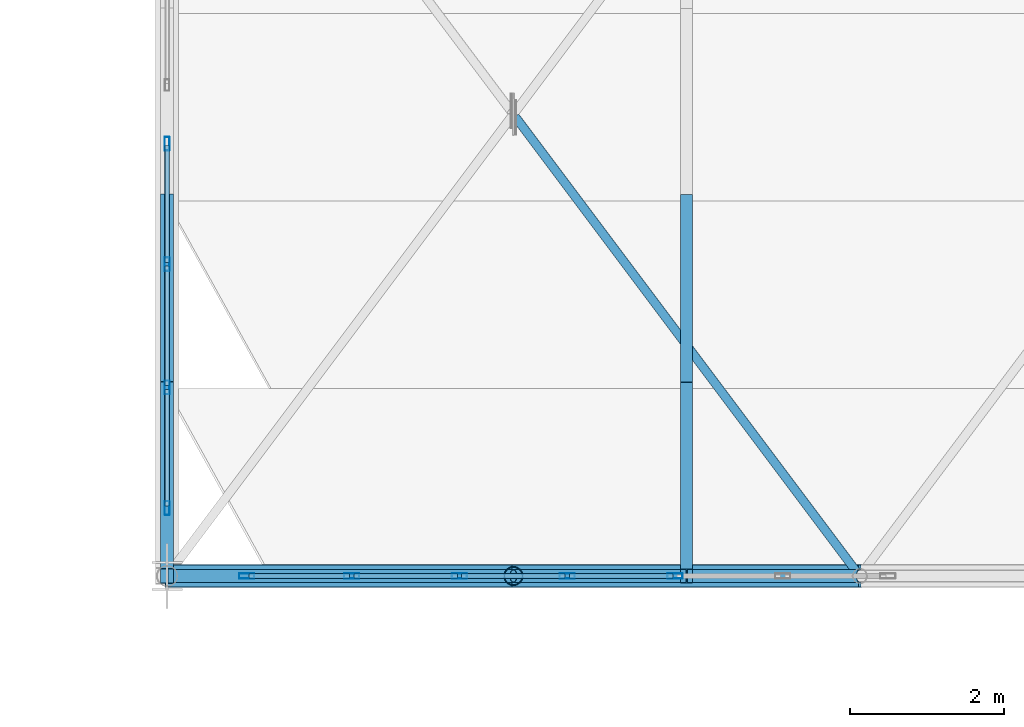
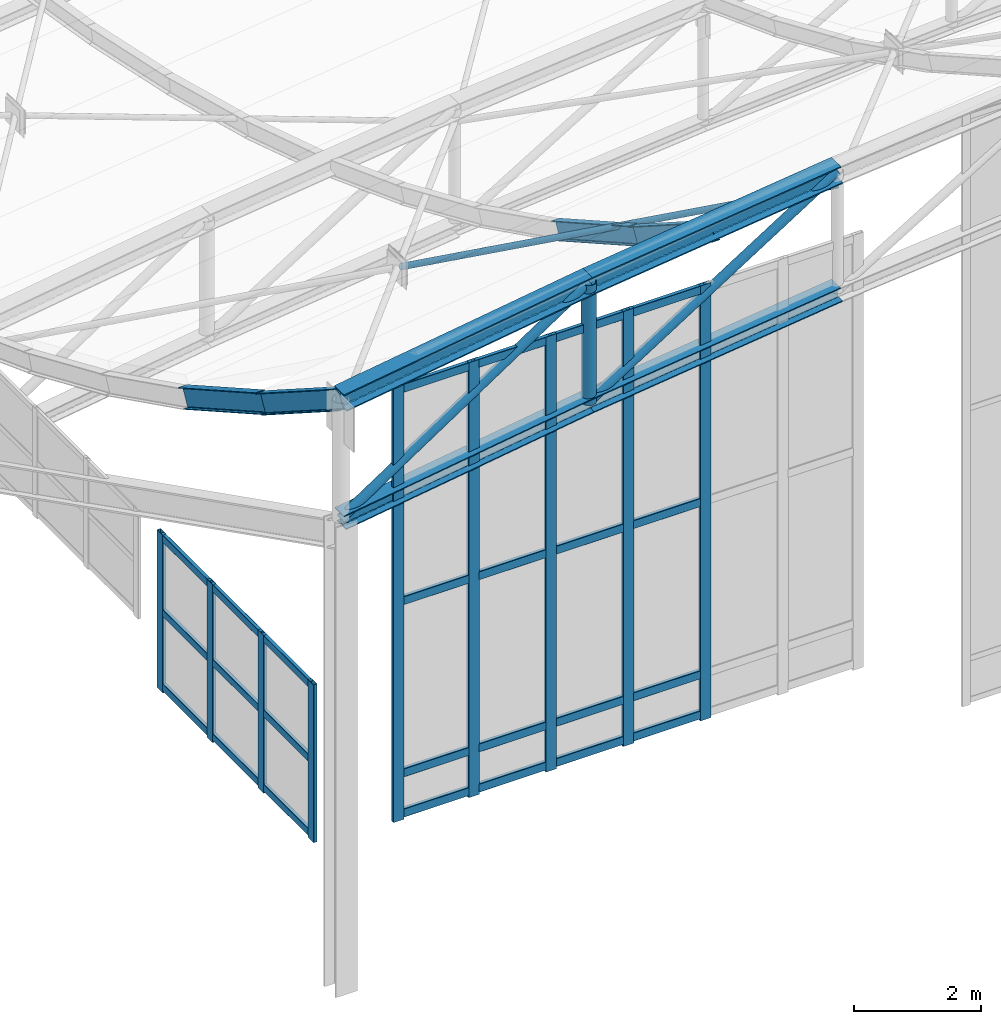
# One storey, part 41 of 262: 46 members, 2 elements without a shape of their own.
"""IFC4 building model written with IfcOpenShell, lengths in metres."""

from ifc_helpers import new_model, si_unit, derived_unit, direction, frame, origin, origin_2d, place, context, subcontext, project, spatial, hollow_rectangle, hollow_circle, i_section, extrude, material, layer, layer_set, material_profile, profile_set, type_object, element, aggregate, save


model = new_model("IFC4")

# Units and contexts
model_context = context("Model", 3, precision=1e-05, world=origin(), true_north=direction((0.0, 1.0)))
body_context = subcontext(model_context, "Body", "Model", "MODEL_VIEW")
ifc_project = project(units=[si_unit("LENGTHUNIT", "METRE"), si_unit("AREAUNIT", "SQUARE_METRE"), si_unit("VOLUMEUNIT", "CUBIC_METRE"), si_unit("PLANEANGLEUNIT", "RADIAN"), si_unit("MASSUNIT", "GRAM", prefix="KILO"), derived_unit("THERMALTRANSMITTANCEUNIT", [(si_unit("POWERUNIT", "WATT"), 1), (si_unit("LENGTHUNIT", "METRE"), -2), (si_unit("THERMODYNAMICTEMPERATUREUNIT", "KELVIN"), -1)])], contexts=[model_context])

# Site, building, storey
site_placement = place(None, origin())
site = spatial("IfcSite", under=ifc_project, at=site_placement, CompositionType="ELEMENT")
building_placement = place(site_placement, origin())
building = spatial("IfcBuilding", under=site, at=building_placement, Name="Almenara Railside Exhibition Hall", CompositionType="ELEMENT")
storey_placement = place(building_placement, frame((0.0, 0.0, 21.699951171875)))
storey = spatial("IfcBuildingStorey", under=building, at=storey_placement, Name="RF", CompositionType="ELEMENT", Elevation=21.699951171875)

# Members
ifc_material_1 = material(Name="Structural steel S355JR", Category="steel")
ifc_material_profile_1 = material_profile(ifc_material_1, i_section(OverallWidth=0.280029296875, OverallDepth=0.280029296875, WebThickness=0.010498046875, FlangeThickness=0.01806640625, FilletRadius=0.02392578125, at=origin_2d()), Name="HEB 280")
ifc_profile_set_1 = profile_set([ifc_material_profile_1], Name="Structural steel S355JR")
member_type_1 = type_object("IfcMemberType", Name="Arched Gable Bottom Chord HEB 280 S355JR", PredefinedType="CHORD", material=ifc_profile_set_1)
member_1_placement = place(storey_placement, frame((12.0, 48.0, 6.60009765625), z_axis=(0.9890290442, 0.0, 0.147721189165), x_axis=(0.0, 1.0, 0.0)))
element("IfcMember", 1, at=member_1_placement, inside=storey, type_object=member_type_1, Name="MEM-BC-V1-00-00", PredefinedType="CHORD", context=body_context, shape_type="SweptSolid", body=[
    extrude(i_section(OverallWidth=0.280029296875, OverallDepth=0.280029296875, WebThickness=0.010498046875, FlangeThickness=0.01806640625, FilletRadius=0.02392578125, at=origin_2d()), origin(), (0.0, 0.0, 1.0), 4.5498046875),
])
member_2_placement = place(storey_placement, frame((16.5, 48.0, 7.272216796875), z_axis=(0.992612220818, 0.0, 0.121330041965), x_axis=(0.0, 1.0, 0.0)))
element("IfcMember", 2, at=member_2_placement, inside=storey, type_object=member_type_1, Name="MEM-BC-V1-00-01", PredefinedType="CHORD", context=body_context, shape_type="SweptSolid", body=[
    extrude(i_section(OverallWidth=0.280029296875, OverallDepth=0.280029296875, WebThickness=0.010498046875, FlangeThickness=0.01806640625, FilletRadius=0.02392578125, at=origin_2d()), origin(), (0.0, 0.0, 1.0), 4.533447265625),
])
ifc_material_profile_2 = material_profile(ifc_material_1, i_section(OverallWidth=0.300048828125, OverallDepth=0.340087890625, WebThickness=0.011962890625, FlangeThickness=0.021484375, FilletRadius=0.027099609375, at=origin_2d()), Name="HEB 340")
ifc_profile_set_2 = profile_set([ifc_material_profile_2], Name="Structural steel S355JR")
member_type_2 = type_object("IfcMemberType", Name="Arched Gable Top Chord HEB 340 S355JR", PredefinedType="CHORD", material=ifc_profile_set_2)
member_3_placement = place(storey_placement, frame((12.0, 48.0, 8.900146484375), z_axis=(0.9890290442, 0.0, 0.147721189165), x_axis=(0.0, 1.0, 0.0)))
element("IfcMember", 3, at=member_3_placement, inside=storey, type_object=member_type_2, Name="MEM-TC-V1-00-00", PredefinedType="CHORD", context=body_context, shape_type="SweptSolid", body=[
    extrude(i_section(OverallWidth=0.300048828125, OverallDepth=0.340087890625, WebThickness=0.011962890625, FlangeThickness=0.021484375, FilletRadius=0.027099609375, at=origin_2d()), origin(), (0.0, 0.0, 1.0), 4.5498046875),
])
member_4_placement = place(storey_placement, frame((16.5, 48.0, 9.572265625), z_axis=(0.992612220818, 0.0, 0.121330041965), x_axis=(0.0, 1.0, 0.0)))
element("IfcMember", 4, at=member_4_placement, inside=storey, type_object=member_type_2, Name="MEM-TC-V1-00-01", PredefinedType="CHORD", context=body_context, shape_type="SweptSolid", body=[
    extrude(i_section(OverallWidth=0.300048828125, OverallDepth=0.340087890625, WebThickness=0.011962890625, FlangeThickness=0.021484375, FilletRadius=0.027099609375, at=origin_2d()), origin(), (0.0, 0.0, 1.0), 4.533447265625),
])

# Curtain wall, members
ifc_material_2 = material(Name="Bronze-anodised aluminium and low-E double glazing", Category="aluminium")
ifc_layer_1 = layer(ifc_material_2, 0.179931640625, Name="Bronze-anodised aluminium and low-E double glazing")
ifc_layer_set_1 = layer_set([ifc_layer_1], Name="Bronze-anodised aluminium and low-E double glazing")
curtain_wall_type_1 = type_object("IfcCurtainWallType", Name="West Hall Clerestory Curtain Wall 4200x2400", PredefinedType="NOTDEFINED", material=ifc_layer_set_1)
curtain_wall_1_placement = place(storey_placement, origin())
curtain_wall_1 = element("IfcCurtainWall", 5, at=curtain_wall_1_placement, inside=storey, type_object=curtain_wall_type_1, Name="Curtain wall CW-CL1-168", PredefinedType="NOTDEFINED")
ifc_material_3 = material(Name="Bronze-anodised aluminium", Category="aluminium")
ifc_material_profile_3 = material_profile(ifc_material_3, hollow_rectangle(XDim=0.06494140625, YDim=0.179931640625, WallThickness=0.00390625, InnerFilletRadius=0.00390625, OuterFilletRadius=0.008056640625, at=origin_2d()), Name="ALU-MUL 65x180x4")
ifc_profile_set_3 = profile_set([ifc_material_profile_3], Name="Bronze-anodised aluminium")
member_type_3 = type_object("IfcMemberType", Name="Curtain Wall Mullion 65x180x4", PredefinedType="MULLION", material=ifc_profile_set_3)
member_5_placement = place(storey_placement, frame((12.0, 48.882568359375, -0.0849609375), z_axis=(0.0, 0.0, 1.0), x_axis=(-1.0, 0.0, 0.0)))
member_5 = element("IfcMember", 6, at=member_5_placement, type_object=member_type_3, Name="CW-CL1-168 mullion 1", PredefinedType="MULLION", context=body_context, shape_type="SweptSolid", body=[
    extrude(hollow_rectangle(XDim=0.06494140625, YDim=0.179931640625, WallThickness=0.00390625, InnerFilletRadius=0.00390625, OuterFilletRadius=0.008056640625, at=origin_2d()), origin(), (0.0, 0.0, 1.0), 3.02490234375),
])
member_6_placement = place(storey_placement, frame((12.0, 50.449951171875, -0.0849609375), z_axis=(0.0, 0.0, 1.0), x_axis=(-1.0, 0.0, 0.0)))
member_6 = element("IfcMember", 7, at=member_6_placement, type_object=member_type_3, Name="CW-CL1-168 mullion 2", PredefinedType="MULLION", context=body_context, shape_type="SweptSolid", body=[
    extrude(hollow_rectangle(XDim=0.06494140625, YDim=0.179931640625, WallThickness=0.00390625, InnerFilletRadius=0.00390625, OuterFilletRadius=0.008056640625, at=origin_2d()), origin(), (0.0, 0.0, 1.0), 3.02490234375),
])
member_7_placement = place(storey_placement, frame((12.0, 52.050048828125, -0.0849609375), z_axis=(0.0, 0.0, 1.0), x_axis=(-1.0, 0.0, 0.0)))
member_7 = element("IfcMember", 8, at=member_7_placement, type_object=member_type_3, Name="CW-CL1-168 mullion 3", PredefinedType="MULLION", context=body_context, shape_type="SweptSolid", body=[
    extrude(hollow_rectangle(XDim=0.06494140625, YDim=0.179931640625, WallThickness=0.00390625, InnerFilletRadius=0.00390625, OuterFilletRadius=0.008056640625, at=origin_2d()), origin(), (0.0, 0.0, 1.0), 3.02490234375),
])
member_8_placement = place(storey_placement, frame((12.0, 53.617431640625, -0.0849609375), z_axis=(0.0, 0.0, 1.0), x_axis=(-1.0, 0.0, 0.0)))
member_8 = element("IfcMember", 9, at=member_8_placement, type_object=member_type_3, Name="CW-CL1-168 mullion 4", PredefinedType="MULLION", context=body_context, shape_type="SweptSolid", body=[
    extrude(hollow_rectangle(XDim=0.06494140625, YDim=0.179931640625, WallThickness=0.00390625, InnerFilletRadius=0.00390625, OuterFilletRadius=0.008056640625, at=origin_2d()), origin(), (0.0, 0.0, 1.0), 3.02490234375),
])

ifc_layer_2 = layer(ifc_material_2, 0.179931640625, Name="Bronze-anodised aluminium and low-E double glazing")
ifc_layer_set_2 = layer_set([ifc_layer_2], Name="Bronze-anodised aluminium and low-E double glazing")
curtain_wall_type_2 = type_object("IfcCurtainWallType", Name="Scroll Gable Tall Curtain Wall 3800x5400", PredefinedType="NOTDEFINED", material=ifc_layer_set_2)
curtain_wall_2_placement = place(storey_placement, origin())
curtain_wall_2 = element("IfcCurtainWall", 10, at=curtain_wall_2_placement, inside=storey, type_object=curtain_wall_type_2, Name="Curtain wall CW-G1-196", PredefinedType="NOTDEFINED")
ifc_material_profile_4 = material_profile(ifc_material_3, hollow_rectangle(XDim=0.070068359375, YDim=0.199951171875, WallThickness=0.00439453125, InnerFilletRadius=0.00439453125, OuterFilletRadius=0.009033203125, at=origin_2d()), Name="ALU-MUL 70x200x4.5")
ifc_profile_set_4 = profile_set([ifc_material_profile_4], Name="Bronze-anodised aluminium")
member_type_4 = type_object("IfcMemberType", Name="Curtain Wall Mullion 70x200x4.5", PredefinedType="MULLION", material=ifc_profile_set_4)
member_9_placement = place(storey_placement, frame((13.034912109375, 48.0, 0.465087890625), z_axis=(0.0, 0.0, 1.0), x_axis=(0.0, 1.0, 0.0)))
member_9 = element("IfcMember", 11, at=member_9_placement, type_object=member_type_4, Name="CW-G1-196 mullion 1", PredefinedType="MULLION", context=body_context, shape_type="SweptSolid", body=[
    extrude(hollow_rectangle(XDim=0.070068359375, YDim=0.199951171875, WallThickness=0.00439453125, InnerFilletRadius=0.00439453125, OuterFilletRadius=0.009033203125, at=origin_2d()), origin(), (0.0, 0.0, 1.0), 8.3349609375),
])
member_10_placement = place(storey_placement, frame((14.39990234375, 48.0, 0.465087890625), z_axis=(0.0, 0.0, 1.0), x_axis=(0.0, 1.0, 0.0)))
member_10 = element("IfcMember", 12, at=member_10_placement, type_object=member_type_4, Name="CW-G1-196 mullion 2", PredefinedType="MULLION", context=body_context, shape_type="SweptSolid", body=[
    extrude(hollow_rectangle(XDim=0.070068359375, YDim=0.199951171875, WallThickness=0.00439453125, InnerFilletRadius=0.00439453125, OuterFilletRadius=0.009033203125, at=origin_2d()), origin(), (0.0, 0.0, 1.0), 8.3349609375),
])
member_11_placement = place(storey_placement, frame((15.800048828125, 48.0, 0.465087890625), z_axis=(0.0, 0.0, 1.0), x_axis=(0.0, 1.0, 0.0)))
member_11 = element("IfcMember", 13, at=member_11_placement, type_object=member_type_4, Name="CW-G1-196 mullion 3", PredefinedType="MULLION", context=body_context, shape_type="SweptSolid", body=[
    extrude(hollow_rectangle(XDim=0.070068359375, YDim=0.199951171875, WallThickness=0.00439453125, InnerFilletRadius=0.00439453125, OuterFilletRadius=0.009033203125, at=origin_2d()), origin(), (0.0, 0.0, 1.0), 8.3349609375),
])
member_12_placement = place(storey_placement, frame((17.199951171875, 48.0, 0.465087890625), z_axis=(0.0, 0.0, 1.0), x_axis=(0.0, 1.0, 0.0)))
member_12 = element("IfcMember", 14, at=member_12_placement, type_object=member_type_4, Name="CW-G1-196 mullion 4", PredefinedType="MULLION", context=body_context, shape_type="SweptSolid", body=[
    extrude(hollow_rectangle(XDim=0.070068359375, YDim=0.199951171875, WallThickness=0.00439453125, InnerFilletRadius=0.00439453125, OuterFilletRadius=0.009033203125, at=origin_2d()), origin(), (0.0, 0.0, 1.0), 8.3349609375),
])
member_13_placement = place(storey_placement, frame((18.60009765625, 48.0, 0.465087890625), z_axis=(0.0, 0.0, 1.0), x_axis=(0.0, 1.0, 0.0)))
member_13 = element("IfcMember", 15, at=member_13_placement, type_object=member_type_4, Name="CW-G1-196 mullion 5", PredefinedType="MULLION", context=body_context, shape_type="SweptSolid", body=[
    extrude(hollow_rectangle(XDim=0.070068359375, YDim=0.199951171875, WallThickness=0.00439453125, InnerFilletRadius=0.00439453125, OuterFilletRadius=0.009033203125, at=origin_2d()), origin(), (0.0, 0.0, 1.0), 8.3349609375),
])

# Member
ifc_material_profile_5 = material_profile(ifc_material_3, hollow_rectangle(XDim=0.06494140625, YDim=0.139892578125, WallThickness=0.00341796875, InnerFilletRadius=0.00341796875, OuterFilletRadius=0.007080078125, at=origin_2d()), Name="ALU-TRN 65x140x3.5")
ifc_profile_set_5 = profile_set([ifc_material_profile_5], Name="Bronze-anodised aluminium")
member_type_5 = type_object("IfcMemberType", Name="Curtain Wall Transom 65x140x3.5", PredefinedType="USERDEFINED", material=ifc_profile_set_5)
member_14_placement = place(storey_placement, frame((12.0, 48.906982421875, 0.02001953125), z_axis=(0.0, 1.0, 0.0), x_axis=(-1.0, 0.0, 0.0)))
member_14 = element("IfcMember", 16, at=member_14_placement, type_object=member_type_5, Name="CW-CL1-168 transom 1.1", ObjectType="TRANSOM", PredefinedType="USERDEFINED", context=body_context, shape_type="SweptSolid", body=[
    extrude(hollow_rectangle(XDim=0.06494140625, YDim=0.139892578125, WallThickness=0.00341796875, InnerFilletRadius=0.00341796875, OuterFilletRadius=0.007080078125, at=origin_2d()), origin(), (0.0, 0.0, 1.0), 1.5185546875),
])

member_15_placement = place(storey_placement, frame((12.0, 48.906982421875, 1.445068359375), z_axis=(0.0, 1.0, 0.0), x_axis=(-1.0, 0.0, 0.0)))
member_15 = element("IfcMember", 17, at=member_15_placement, type_object=member_type_5, Name="CW-CL1-168 transom 1.2", ObjectType="TRANSOM", PredefinedType="USERDEFINED", context=body_context, shape_type="SweptSolid", body=[
    extrude(hollow_rectangle(XDim=0.06494140625, YDim=0.139892578125, WallThickness=0.00341796875, InnerFilletRadius=0.00341796875, OuterFilletRadius=0.007080078125, at=origin_2d()), origin(), (0.0, 0.0, 1.0), 1.5185546875),
])

member_16_placement = place(storey_placement, frame((12.0, 48.906982421875, 2.8701171875), z_axis=(0.0, 1.0, 0.0), x_axis=(-1.0, 0.0, 0.0)))
member_16 = element("IfcMember", 18, at=member_16_placement, type_object=member_type_5, Name="CW-CL1-168 transom 1.3", ObjectType="TRANSOM", PredefinedType="USERDEFINED", context=body_context, shape_type="SweptSolid", body=[
    extrude(hollow_rectangle(XDim=0.06494140625, YDim=0.139892578125, WallThickness=0.00341796875, InnerFilletRadius=0.00341796875, OuterFilletRadius=0.007080078125, at=origin_2d()), origin(), (0.0, 0.0, 1.0), 1.5185546875),
])

member_17_placement = place(storey_placement, frame((12.0, 50.474609375, 0.02001953125), z_axis=(0.0, 1.0, 0.0), x_axis=(-1.0, 0.0, 0.0)))
member_17 = element("IfcMember", 19, at=member_17_placement, type_object=member_type_5, Name="CW-CL1-168 transom 2.1", ObjectType="TRANSOM", PredefinedType="USERDEFINED", context=body_context, shape_type="SweptSolid", body=[
    extrude(hollow_rectangle(XDim=0.06494140625, YDim=0.139892578125, WallThickness=0.00341796875, InnerFilletRadius=0.00341796875, OuterFilletRadius=0.007080078125, at=origin_2d()), origin(), (0.0, 0.0, 1.0), 1.55078125),
])

member_18_placement = place(storey_placement, frame((12.0, 50.474609375, 1.445068359375), z_axis=(0.0, 1.0, 0.0), x_axis=(-1.0, 0.0, 0.0)))
member_18 = element("IfcMember", 20, at=member_18_placement, type_object=member_type_5, Name="CW-CL1-168 transom 2.2", ObjectType="TRANSOM", PredefinedType="USERDEFINED", context=body_context, shape_type="SweptSolid", body=[
    extrude(hollow_rectangle(XDim=0.06494140625, YDim=0.139892578125, WallThickness=0.00341796875, InnerFilletRadius=0.00341796875, OuterFilletRadius=0.007080078125, at=origin_2d()), origin(), (0.0, 0.0, 1.0), 1.55078125),
])

member_19_placement = place(storey_placement, frame((12.0, 50.474609375, 2.8701171875), z_axis=(0.0, 1.0, 0.0), x_axis=(-1.0, 0.0, 0.0)))
member_19 = element("IfcMember", 21, at=member_19_placement, type_object=member_type_5, Name="CW-CL1-168 transom 2.3", ObjectType="TRANSOM", PredefinedType="USERDEFINED", context=body_context, shape_type="SweptSolid", body=[
    extrude(hollow_rectangle(XDim=0.06494140625, YDim=0.139892578125, WallThickness=0.00341796875, InnerFilletRadius=0.00341796875, OuterFilletRadius=0.007080078125, at=origin_2d()), origin(), (0.0, 0.0, 1.0), 1.55078125),
])

member_20_placement = place(storey_placement, frame((12.0, 52.074462890625, 0.02001953125), z_axis=(0.0, 1.0, 0.0), x_axis=(-1.0, 0.0, 0.0)))
member_20 = element("IfcMember", 22, at=member_20_placement, type_object=member_type_5, Name="CW-CL1-168 transom 3.1", ObjectType="TRANSOM", PredefinedType="USERDEFINED", context=body_context, shape_type="SweptSolid", body=[
    extrude(hollow_rectangle(XDim=0.06494140625, YDim=0.139892578125, WallThickness=0.00341796875, InnerFilletRadius=0.00341796875, OuterFilletRadius=0.007080078125, at=origin_2d()), origin(), (0.0, 0.0, 1.0), 1.5185546875),
])

member_21_placement = place(storey_placement, frame((12.0, 52.074462890625, 1.445068359375), z_axis=(0.0, 1.0, 0.0), x_axis=(-1.0, 0.0, 0.0)))
member_21 = element("IfcMember", 23, at=member_21_placement, type_object=member_type_5, Name="CW-CL1-168 transom 3.2", ObjectType="TRANSOM", PredefinedType="USERDEFINED", context=body_context, shape_type="SweptSolid", body=[
    extrude(hollow_rectangle(XDim=0.06494140625, YDim=0.139892578125, WallThickness=0.00341796875, InnerFilletRadius=0.00341796875, OuterFilletRadius=0.007080078125, at=origin_2d()), origin(), (0.0, 0.0, 1.0), 1.5185546875),
])

member_22_placement = place(storey_placement, frame((12.0, 52.074462890625, 2.8701171875), z_axis=(0.0, 1.0, 0.0), x_axis=(-1.0, 0.0, 0.0)))
member_22 = element("IfcMember", 24, at=member_22_placement, type_object=member_type_5, Name="CW-CL1-168 transom 3.3", ObjectType="TRANSOM", PredefinedType="USERDEFINED", context=body_context, shape_type="SweptSolid", body=[
    extrude(hollow_rectangle(XDim=0.06494140625, YDim=0.139892578125, WallThickness=0.00341796875, InnerFilletRadius=0.00341796875, OuterFilletRadius=0.007080078125, at=origin_2d()), origin(), (0.0, 0.0, 1.0), 1.5185546875),
])

aggregate(curtain_wall_1, [member_5, member_6, member_7, member_8, member_14, member_15, member_16, member_17, member_18, member_19, member_20, member_21, member_22])

ifc_material_profile_6 = material_profile(ifc_material_3, hollow_rectangle(XDim=0.070068359375, YDim=0.159912109375, WallThickness=0.00390625, InnerFilletRadius=0.00390625, OuterFilletRadius=0.008056640625, at=origin_2d()), Name="ALU-TRN 70x160x4")
ifc_profile_set_6 = profile_set([ifc_material_profile_6], Name="Bronze-anodised aluminium")
member_type_6 = type_object("IfcMemberType", Name="Curtain Wall Transom 70x160x4", PredefinedType="USERDEFINED", material=ifc_profile_set_6)
member_23_placement = place(storey_placement, frame((13.06201171875, 48.0, 0.580078125), z_axis=(1.0, 0.0, 0.0), x_axis=(0.0, 1.0, 0.0)))
member_23 = element("IfcMember", 25, at=member_23_placement, type_object=member_type_6, Name="CW-G1-196 transom 1.1", ObjectType="TRANSOM", PredefinedType="USERDEFINED", context=body_context, shape_type="SweptSolid", body=[
    extrude(hollow_rectangle(XDim=0.070068359375, YDim=0.159912109375, WallThickness=0.00390625, InnerFilletRadius=0.00390625, OuterFilletRadius=0.008056640625, at=origin_2d()), origin(), (0.0, 0.0, 1.0), 1.31103515625),
])

member_24_placement = place(storey_placement, frame((13.06201171875, 48.0, 1.35009765625), z_axis=(1.0, 0.0, 0.0), x_axis=(0.0, 1.0, 0.0)))
member_24 = element("IfcMember", 26, at=member_24_placement, type_object=member_type_6, Name="CW-G1-196 transom 1.2", ObjectType="TRANSOM", PredefinedType="USERDEFINED", context=body_context, shape_type="SweptSolid", body=[
    extrude(hollow_rectangle(XDim=0.070068359375, YDim=0.159912109375, WallThickness=0.00390625, InnerFilletRadius=0.00390625, OuterFilletRadius=0.008056640625, at=origin_2d()), origin(), (0.0, 0.0, 1.0), 1.31103515625),
])

member_25_placement = place(storey_placement, frame((13.06201171875, 48.0, 4.650146484375), z_axis=(1.0, 0.0, 0.0), x_axis=(0.0, 1.0, 0.0)))
member_25 = element("IfcMember", 27, at=member_25_placement, type_object=member_type_6, Name="CW-G1-196 transom 1.3", ObjectType="TRANSOM", PredefinedType="USERDEFINED", context=body_context, shape_type="SweptSolid", body=[
    extrude(hollow_rectangle(XDim=0.070068359375, YDim=0.159912109375, WallThickness=0.00390625, InnerFilletRadius=0.00390625, OuterFilletRadius=0.008056640625, at=origin_2d()), origin(), (0.0, 0.0, 1.0), 1.31103515625),
])

member_26_placement = place(storey_placement, frame((13.06201171875, 48.0, 8.719970703125), z_axis=(1.0, 0.0, 0.0), x_axis=(0.0, 1.0, 0.0)))
member_26 = element("IfcMember", 28, at=member_26_placement, type_object=member_type_6, Name="CW-G1-196 transom 1.4", ObjectType="TRANSOM", PredefinedType="USERDEFINED", context=body_context, shape_type="SweptSolid", body=[
    extrude(hollow_rectangle(XDim=0.070068359375, YDim=0.159912109375, WallThickness=0.00390625, InnerFilletRadius=0.00390625, OuterFilletRadius=0.008056640625, at=origin_2d()), origin(), (0.0, 0.0, 1.0), 1.31103515625),
])

member_27_placement = place(storey_placement, frame((14.427001953125, 48.0, 0.580078125), z_axis=(1.0, 0.0, 0.0), x_axis=(0.0, 1.0, 0.0)))
member_27 = element("IfcMember", 29, at=member_27_placement, type_object=member_type_6, Name="CW-G1-196 transom 2.1", ObjectType="TRANSOM", PredefinedType="USERDEFINED", context=body_context, shape_type="SweptSolid", body=[
    extrude(hollow_rectangle(XDim=0.070068359375, YDim=0.159912109375, WallThickness=0.00390625, InnerFilletRadius=0.00390625, OuterFilletRadius=0.008056640625, at=origin_2d()), origin(), (0.0, 0.0, 1.0), 1.345947265625),
])

member_28_placement = place(storey_placement, frame((14.427001953125, 48.0, 1.35009765625), z_axis=(1.0, 0.0, 0.0), x_axis=(0.0, 1.0, 0.0)))
member_28 = element("IfcMember", 30, at=member_28_placement, type_object=member_type_6, Name="CW-G1-196 transom 2.2", ObjectType="TRANSOM", PredefinedType="USERDEFINED", context=body_context, shape_type="SweptSolid", body=[
    extrude(hollow_rectangle(XDim=0.070068359375, YDim=0.159912109375, WallThickness=0.00390625, InnerFilletRadius=0.00390625, OuterFilletRadius=0.008056640625, at=origin_2d()), origin(), (0.0, 0.0, 1.0), 1.345947265625),
])

member_29_placement = place(storey_placement, frame((14.427001953125, 48.0, 4.650146484375), z_axis=(1.0, 0.0, 0.0), x_axis=(0.0, 1.0, 0.0)))
member_29 = element("IfcMember", 31, at=member_29_placement, type_object=member_type_6, Name="CW-G1-196 transom 2.3", ObjectType="TRANSOM", PredefinedType="USERDEFINED", context=body_context, shape_type="SweptSolid", body=[
    extrude(hollow_rectangle(XDim=0.070068359375, YDim=0.159912109375, WallThickness=0.00390625, InnerFilletRadius=0.00390625, OuterFilletRadius=0.008056640625, at=origin_2d()), origin(), (0.0, 0.0, 1.0), 1.345947265625),
])

member_30_placement = place(storey_placement, frame((14.427001953125, 48.0, 8.719970703125), z_axis=(1.0, 0.0, 0.0), x_axis=(0.0, 1.0, 0.0)))
member_30 = element("IfcMember", 32, at=member_30_placement, type_object=member_type_6, Name="CW-G1-196 transom 2.4", ObjectType="TRANSOM", PredefinedType="USERDEFINED", context=body_context, shape_type="SweptSolid", body=[
    extrude(hollow_rectangle(XDim=0.070068359375, YDim=0.159912109375, WallThickness=0.00390625, InnerFilletRadius=0.00390625, OuterFilletRadius=0.008056640625, at=origin_2d()), origin(), (0.0, 0.0, 1.0), 1.345947265625),
])

member_31_placement = place(storey_placement, frame((15.826904296875, 48.0, 0.580078125), z_axis=(1.0, 0.0, 0.0), x_axis=(0.0, 1.0, 0.0)))
member_31 = element("IfcMember", 33, at=member_31_placement, type_object=member_type_6, Name="CW-G1-196 transom 3.1", ObjectType="TRANSOM", PredefinedType="USERDEFINED", context=body_context, shape_type="SweptSolid", body=[
    extrude(hollow_rectangle(XDim=0.070068359375, YDim=0.159912109375, WallThickness=0.00390625, InnerFilletRadius=0.00390625, OuterFilletRadius=0.008056640625, at=origin_2d()), origin(), (0.0, 0.0, 1.0), 1.34619140625),
])

member_32_placement = place(storey_placement, frame((15.826904296875, 48.0, 1.35009765625), z_axis=(1.0, 0.0, 0.0), x_axis=(0.0, 1.0, 0.0)))
member_32 = element("IfcMember", 34, at=member_32_placement, type_object=member_type_6, Name="CW-G1-196 transom 3.2", ObjectType="TRANSOM", PredefinedType="USERDEFINED", context=body_context, shape_type="SweptSolid", body=[
    extrude(hollow_rectangle(XDim=0.070068359375, YDim=0.159912109375, WallThickness=0.00390625, InnerFilletRadius=0.00390625, OuterFilletRadius=0.008056640625, at=origin_2d()), origin(), (0.0, 0.0, 1.0), 1.34619140625),
])

member_33_placement = place(storey_placement, frame((15.826904296875, 48.0, 4.650146484375), z_axis=(1.0, 0.0, 0.0), x_axis=(0.0, 1.0, 0.0)))
member_33 = element("IfcMember", 35, at=member_33_placement, type_object=member_type_6, Name="CW-G1-196 transom 3.3", ObjectType="TRANSOM", PredefinedType="USERDEFINED", context=body_context, shape_type="SweptSolid", body=[
    extrude(hollow_rectangle(XDim=0.070068359375, YDim=0.159912109375, WallThickness=0.00390625, InnerFilletRadius=0.00390625, OuterFilletRadius=0.008056640625, at=origin_2d()), origin(), (0.0, 0.0, 1.0), 1.34619140625),
])

member_34_placement = place(storey_placement, frame((15.826904296875, 48.0, 8.719970703125), z_axis=(1.0, 0.0, 0.0), x_axis=(0.0, 1.0, 0.0)))
member_34 = element("IfcMember", 36, at=member_34_placement, type_object=member_type_6, Name="CW-G1-196 transom 3.4", ObjectType="TRANSOM", PredefinedType="USERDEFINED", context=body_context, shape_type="SweptSolid", body=[
    extrude(hollow_rectangle(XDim=0.070068359375, YDim=0.159912109375, WallThickness=0.00390625, InnerFilletRadius=0.00390625, OuterFilletRadius=0.008056640625, at=origin_2d()), origin(), (0.0, 0.0, 1.0), 1.34619140625),
])

member_35_placement = place(storey_placement, frame((17.22705078125, 48.0, 0.580078125), z_axis=(1.0, 0.0, 0.0), x_axis=(0.0, 1.0, 0.0)))
member_35 = element("IfcMember", 37, at=member_35_placement, type_object=member_type_6, Name="CW-G1-196 transom 4.1", ObjectType="TRANSOM", PredefinedType="USERDEFINED", context=body_context, shape_type="SweptSolid", body=[
    extrude(hollow_rectangle(XDim=0.070068359375, YDim=0.159912109375, WallThickness=0.00390625, InnerFilletRadius=0.00390625, OuterFilletRadius=0.008056640625, at=origin_2d()), origin(), (0.0, 0.0, 1.0), 1.345947265625),
])

member_36_placement = place(storey_placement, frame((17.22705078125, 48.0, 1.35009765625), z_axis=(1.0, 0.0, 0.0), x_axis=(0.0, 1.0, 0.0)))
member_36 = element("IfcMember", 38, at=member_36_placement, type_object=member_type_6, Name="CW-G1-196 transom 4.2", ObjectType="TRANSOM", PredefinedType="USERDEFINED", context=body_context, shape_type="SweptSolid", body=[
    extrude(hollow_rectangle(XDim=0.070068359375, YDim=0.159912109375, WallThickness=0.00390625, InnerFilletRadius=0.00390625, OuterFilletRadius=0.008056640625, at=origin_2d()), origin(), (0.0, 0.0, 1.0), 1.345947265625),
])

member_37_placement = place(storey_placement, frame((17.22705078125, 48.0, 4.650146484375), z_axis=(1.0, 0.0, 0.0), x_axis=(0.0, 1.0, 0.0)))
member_37 = element("IfcMember", 39, at=member_37_placement, type_object=member_type_6, Name="CW-G1-196 transom 4.3", ObjectType="TRANSOM", PredefinedType="USERDEFINED", context=body_context, shape_type="SweptSolid", body=[
    extrude(hollow_rectangle(XDim=0.070068359375, YDim=0.159912109375, WallThickness=0.00390625, InnerFilletRadius=0.00390625, OuterFilletRadius=0.008056640625, at=origin_2d()), origin(), (0.0, 0.0, 1.0), 1.345947265625),
])

member_38_placement = place(storey_placement, frame((17.22705078125, 48.0, 8.719970703125), z_axis=(1.0, 0.0, 0.0), x_axis=(0.0, 1.0, 0.0)))
member_38 = element("IfcMember", 40, at=member_38_placement, type_object=member_type_6, Name="CW-G1-196 transom 4.4", ObjectType="TRANSOM", PredefinedType="USERDEFINED", context=body_context, shape_type="SweptSolid", body=[
    extrude(hollow_rectangle(XDim=0.070068359375, YDim=0.159912109375, WallThickness=0.00390625, InnerFilletRadius=0.00390625, OuterFilletRadius=0.008056640625, at=origin_2d()), origin(), (0.0, 0.0, 1.0), 1.345947265625),
])

aggregate(curtain_wall_2, [member_9, member_10, member_11, member_12, member_13, member_23, member_24, member_25, member_26, member_27, member_28, member_29, member_30, member_31, member_32, member_33, member_34, member_35, member_36, member_37, member_38])

# Members
ifc_material_profile_7 = material_profile(ifc_material_1, i_section(OverallWidth=0.159912109375, OverallDepth=0.330078125, WebThickness=0.007568359375, FlangeThickness=0.011474609375, FilletRadius=0.01806640625, at=origin_2d()), Name="IPE 330")
ifc_profile_set_7 = profile_set([ifc_material_profile_7], Name="Structural steel S355JR")
member_type_7 = type_object("IfcMemberType", Name="Gable Bay Purlin IPE 330 S355JR", PredefinedType="PURLIN", material=ifc_profile_set_7)
member_39_placement = place(storey_placement, frame((18.75, 48.0, 9.743896484375), z_axis=(0.0, 0.842265270347, -0.53906327492), x_axis=(-1.0, 0.0, 0.0)))
element("IfcMember", 41, at=member_39_placement, inside=storey, type_object=member_type_7, Name="MEM-PR-V1-PR-IPE330-01-00", PredefinedType="PURLIN", context=body_context, shape_type="SweptSolid", body=[
    extrude(i_section(OverallWidth=0.159912109375, OverallDepth=0.330078125, WebThickness=0.007568359375, FlangeThickness=0.011474609375, FilletRadius=0.01806640625, at=origin_2d()), origin(), (0.0, 0.0, 1.0), 2.89306640625),
])
member_40_placement = place(storey_placement, frame((18.75, 50.436767578125, 8.19775390625), z_axis=(0.0, 0.870445855666, -0.492264169277), x_axis=(-1.0, 0.0, 0.0)))
element("IfcMember", 42, at=member_40_placement, inside=storey, type_object=member_type_7, Name="MEM-PR-V1-PR-IPE330-01-01", PredefinedType="PURLIN", context=body_context, shape_type="SweptSolid", body=[
    extrude(i_section(OverallWidth=0.159912109375, OverallDepth=0.330078125, WebThickness=0.007568359375, FlangeThickness=0.011474609375, FilletRadius=0.01806640625, at=origin_2d()), origin(), (0.0, 0.0, 1.0), 2.799072265625),
])
ifc_material_profile_8 = material_profile(ifc_material_1, i_section(OverallWidth=0.169921875, OverallDepth=0.360107421875, WebThickness=0.008056640625, FlangeThickness=0.0126953125, FilletRadius=0.01806640625, at=origin_2d()), Name="IPE 360")
ifc_profile_set_8 = profile_set([ifc_material_profile_8], Name="Structural steel S355JR")
member_type_8 = type_object("IfcMemberType", Name="Long-Span Scroll Purlin IPE 360 S355JR", PredefinedType="PURLIN", material=ifc_profile_set_8)
member_41_placement = place(storey_placement, frame((12.0, 48.0, 8.897216796875), z_axis=(0.0, 0.842226955435, -0.539123135785), x_axis=(-1.0, 0.0, 0.0)))
element("IfcMember", 43, at=member_41_placement, inside=storey, type_object=member_type_8, Name="MEM-PR-V1-PR-IPE360-00-00", PredefinedType="PURLIN", context=body_context, shape_type="SweptSolid", body=[
    extrude(i_section(OverallWidth=0.169921875, OverallDepth=0.360107421875, WebThickness=0.008056640625, FlangeThickness=0.0126953125, FilletRadius=0.01806640625, at=origin_2d()), origin(), (0.0, 0.0, 1.0), 2.893310546875),
])
member_42_placement = place(storey_placement, frame((12.0, 50.436767578125, 7.351318359375), z_axis=(0.0, 0.870483227181, -0.492198081261), x_axis=(-1.0, 0.0, 0.0)))
element("IfcMember", 44, at=member_42_placement, inside=storey, type_object=member_type_8, Name="MEM-PR-V1-PR-IPE360-00-01", PredefinedType="PURLIN", context=body_context, shape_type="SweptSolid", body=[
    extrude(i_section(OverallWidth=0.169921875, OverallDepth=0.360107421875, WebThickness=0.008056640625, FlangeThickness=0.0126953125, FilletRadius=0.01806640625, at=origin_2d()), origin(), (0.0, 0.0, 1.0), 2.799072265625),
])
ifc_material_profile_9 = material_profile(ifc_material_1, hollow_circle(Radius=0.05712890625, WallThickness=0.00439453125, at=origin_2d()), Name="CHS 114.3x4.5")
ifc_profile_set_9 = profile_set([ifc_material_profile_9], Name="Structural steel S355JR")
member_type_9 = type_object("IfcMemberType", Name="Roof Wind Plan X-Brace CHS 114.3x4.5 S355JR", PredefinedType="BRACE", material=ifc_profile_set_9)
member_43_placement = place(storey_placement, frame((21.0, 48.0, 9.84228515625), z_axis=(-0.539773445241, 0.719697926988, -0.436668663522), x_axis=(-0.8, -0.6, 0.0)))
element("IfcMember", 45, at=member_43_placement, inside=storey, type_object=member_type_9, Name="MEM-WB-V1-WB-CHS114-00-00-S1", PredefinedType="BRACE", context=body_context, shape_type="SweptSolid", body=[
    extrude(hollow_circle(Radius=0.05712890625, WallThickness=0.00439453125, at=origin_2d()), origin(), (0.0, 0.0, 1.0), 8.27587890625),
])
ifc_material_profile_10 = material_profile(ifc_material_1, hollow_circle(Radius=0.084228515625, WallThickness=0.006103515625, at=origin_2d()), Name="CHS 168.3x6")
ifc_profile_set_10 = profile_set([ifc_material_profile_10], Name="Structural steel S355JR")
member_type_10 = type_object("IfcMemberType", Name="Truss End Diagonal CHS 168.3x6 S355JR", PredefinedType="BRACE", material=ifc_profile_set_10)
member_44_placement = place(storey_placement, frame((12.0, 48.0, 6.60009765625), z_axis=(0.834424544227, 0.0, 0.551122200598), x_axis=(0.0, 1.0, 0.0)))
element("IfcMember", 46, at=member_44_placement, inside=storey, type_object=member_type_10, Name="MEM-TD-V1-00-00", PredefinedType="BRACE", context=body_context, shape_type="SweptSolid", body=[
    extrude(hollow_circle(Radius=0.084228515625, WallThickness=0.006103515625, at=origin_2d()), origin(), (0.0, 0.0, 1.0), 5.392822265625),
])
member_45_placement = place(storey_placement, frame((16.5, 48.0, 7.272216796875), z_axis=(0.844810788273, 0.0, 0.535065166141), x_axis=(0.0, 1.0, 0.0)))
element("IfcMember", 47, at=member_45_placement, inside=storey, type_object=member_type_10, Name="MEM-TD-V1-00-01", PredefinedType="BRACE", context=body_context, shape_type="SweptSolid", body=[
    extrude(hollow_circle(Radius=0.084228515625, WallThickness=0.006103515625, at=origin_2d()), origin(), (0.0, 0.0, 1.0), 5.32666015625),
])
ifc_material_profile_11 = material_profile(ifc_material_1, hollow_circle(Radius=0.122314453125, WallThickness=0.008056640625, at=origin_2d()), Name="CHS 244.5x8")
ifc_profile_set_11 = profile_set([ifc_material_profile_11], Name="Structural steel S355JR")
member_type_11 = type_object("IfcMemberType", Name="Truss Haunch Vertical Strut CHS 244.5x8 S355JR", PredefinedType="BRACE", material=ifc_profile_set_11)
member_46_placement = place(storey_placement, frame((16.5, 48.0, 7.272216796875), z_axis=(0.0, 0.0, 1.0), x_axis=(1.0, 0.0, 0.0)))
element("IfcMember", 48, at=member_46_placement, inside=storey, type_object=member_type_11, Name="MEM-TV-V1-00-01", PredefinedType="BRACE", context=body_context, shape_type="SweptSolid", body=[
    extrude(hollow_circle(Radius=0.122314453125, WallThickness=0.008056640625, at=origin_2d()), origin(), (0.0, 0.0, 1.0), 2.300048828125),
])

save(model, "model.ifc")
